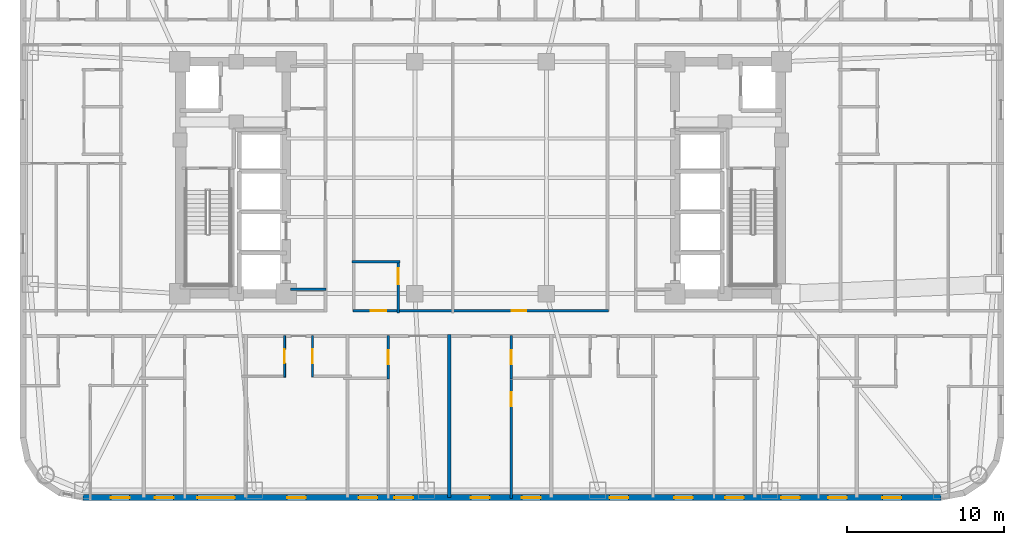
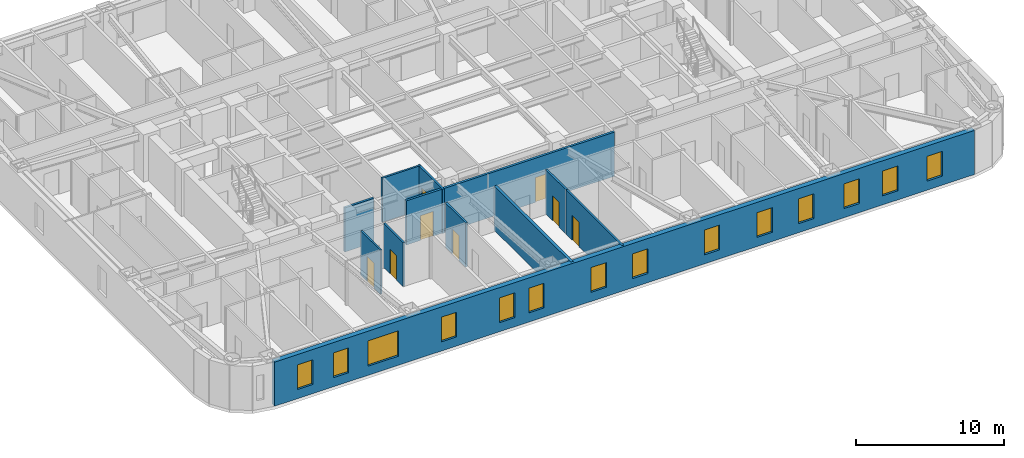
# One storey, part 4 of 12: 14 windows, 11 walls, 8 doors, 22 openings.
"""IFC4 building model written with IfcOpenShell, lengths in metres."""

from ifc_helpers import new_model, si_unit, direction, frame, frame_2d, origin, place, context, subcontext, project, spatial, rectangle, extrude, material, layer, layer_set, type_object, element, fill, save


model = new_model("IFC4")

# Units and contexts
model_context = context("Model", 3, precision=1e-05, world=origin(), true_north=direction((0.0, 1.0)))
body_context = subcontext(model_context, "Body", "Model", "MODEL_VIEW")
ifc_project = project(units=[si_unit("LENGTHUNIT", "METRE"), si_unit("AREAUNIT", "SQUARE_METRE"), si_unit("VOLUMEUNIT", "CUBIC_METRE"), si_unit("PLANEANGLEUNIT", "RADIAN"), si_unit("MASSUNIT", "GRAM", prefix="KILO")], contexts=[model_context])

# Site, building, storey
site_placement = place(None, origin())
site = spatial("IfcSite", under=ifc_project, at=site_placement, CompositionType="ELEMENT")
building_placement = place(site_placement, origin())
building = spatial("IfcBuilding", under=site, at=building_placement, Name="Voryun Gate Residences", CompositionType="ELEMENT")
storey_placement = place(building_placement, frame((0.0, 0.0, 128.699951171875)))
storey = spatial("IfcBuildingStorey", under=building, at=storey_placement, Name="L31", CompositionType="ELEMENT", Elevation=128.699951171875)

# Wall
ifc_material_1 = material(Name="Gypsum acoustic fireboard")
ifc_layer_1 = layer(ifc_material_1, 0.179931640625, Name="W_CORR_RATED_180")
ifc_layer_set_1 = layer_set([ifc_layer_1], Name="Gypsum acoustic fireboard")
wall_type_1 = type_object("IfcWallType", Name="W_CORR_RATED_180", PredefinedType="PARTITIONING", material=ifc_layer_set_1)
wall_1_placement = place(storey_placement, frame((-12.14990234375, -7.1201171875, 0.0), z_axis=(0.0, 0.0, 1.0), x_axis=(1.0, 0.0, 0.0)))
element("IfcWall", 1, at=wall_1_placement, inside=storey, type_object=wall_type_1, Name="Partition wall WP-L31-PLBS-W", PredefinedType="PARTITIONING", context=body_context, shape_type="SweptSolid", body=[
    extrude(rectangle(XDim=2.27001953125, YDim=0.179931640625, at=frame_2d((1.135009765625, 0.0))), origin(), (0.0, 0.0, 1.0), 3.650146484375),
])

# Wall, openings, doors
wall_2_placement = place(storey_placement, frame((-8.14990234375, -8.489990234375, 0.0), z_axis=(0.0, 0.0, 1.0), x_axis=(1.0, 0.0, 0.0)))
wall_2 = element("IfcWall", 2, at=wall_2_placement, inside=storey, type_object=wall_type_1, Name="Partition wall WP-L31-Z1S", PredefinedType="PARTITIONING", context=body_context, shape_type="SweptSolid", body=[
    extrude(rectangle(XDim=16.2998046875, YDim=0.179931640625, at=frame_2d((8.14990234375, 0.0))), origin(), (0.0, 0.0, 1.0), 3.650146484375),
])
opening_1_placement = place(wall_2_placement, frame((1.1298828125, 0.0, 0.0)))
opening_1 = element("IfcOpeningElement", 3, at=opening_1_placement, cuts=wall_2, Name="Opening D-AWC-1", PredefinedType="OPENING", context=body_context, shape_type="SweptSolid", body=[
    extrude(rectangle(XDim=1.0, YDim=2.050048828125, at=frame_2d((0.5, 1.02490234375))), frame((0.0, 0.099853515625, 0.0), z_axis=(0.0, -1.0, 0.0), x_axis=(1.0, 0.0, 0.0)), (0.0, 0.0, 1.0), 0.199951171875),
])
opening_2_placement = place(wall_2_placement, frame((10.1201171875, 0.0, 0.0)))
opening_2 = element("IfcOpeningElement", 4, at=opening_2_placement, cuts=wall_2, Name="Opening D-INT-1", PredefinedType="OPENING", context=body_context, shape_type="SweptSolid", body=[
    extrude(rectangle(XDim=0.949951171875, YDim=2.050048828125, at=frame_2d((0.47509765625, 1.02490234375))), frame((0.0, 0.099853515625, 0.0), z_axis=(0.0, -1.0, 0.0), x_axis=(1.0, 0.0, 0.0)), (0.0, 0.0, 1.0), 0.199951171875),
])
ifc_material_2 = material(Name="Architectural oak veneer")
door_type_1 = type_object("IfcDoorType", Name="DR_ACC_WC_1000", OperationType="NOTDEFINED", PredefinedType="DOOR", material=ifc_material_2)
door_1_placement = place(opening_1_placement, origin())
door_1 = element("IfcDoor", 5, at=door_1_placement, inside=storey, type_object=door_type_1, Name="Door DR-L31-CMWC-D", OperationType="SINGLE_SWING_LEFT", OverallHeight=2.050048828125, OverallWidth=1.0, PredefinedType="DOOR", context=body_context, shape_type="SweptSolid", body=[
    extrude(rectangle(XDim=1.0, YDim=2.050048828125, at=frame_2d((0.5, 1.02490234375))), frame((0.0, 0.02490234375, 0.0), z_axis=(0.0, -1.0, 0.0), x_axis=(1.0, 0.0, 0.0)), (0.0, 0.0, 1.0), 0.050048828125),
])
fill(opening_1, door_1)
ifc_material_3 = material(Name="Architectural oak veneer")
door_type_2 = type_object("IfcDoorType", Name="DR_INT_ROOM_950", OperationType="NOTDEFINED", PredefinedType="DOOR", material=ifc_material_3)
door_2_placement = place(opening_2_placement, origin())
door_2 = element("IfcDoor", 6, at=door_2_placement, inside=storey, type_object=door_type_2, Name="Door DR-L31-CMIDZ1S", OperationType="SINGLE_SWING_RIGHT", OverallHeight=2.050048828125, OverallWidth=0.949951171875, PredefinedType="DOOR", context=body_context, shape_type="SweptSolid", body=[
    extrude(rectangle(XDim=0.949951171875, YDim=2.050048828125, at=frame_2d((0.47509765625, 1.02490234375))), frame((0.0, 0.02490234375, 0.0), z_axis=(0.0, -1.0, 0.0), x_axis=(1.0, 0.0, 0.0)), (0.0, 0.0, 1.0), 0.050048828125),
])
fill(opening_2, door_2)

# Wall, openings, windows
ifc_material_4 = material(Name="Granite masonry", Category="masonry")
ifc_layer_2 = layer(ifc_material_4, 0.3798828125, Name="W_EXT_GRANITE_380")
ifc_layer_set_2 = layer_set([ifc_layer_2], Name="Granite masonry")
wall_type_2 = type_object("IfcWallType", Name="W_EXT_GRANITE_380", PredefinedType="ELEMENTEDWALL", material=ifc_layer_set_2)
wall_3_placement = place(storey_placement, frame((29.38134765625, -20.409912109375, 0.0), z_axis=(0.0, 0.0, 1.0), x_axis=(-1.0, 0.0, 0.0)))
wall_3 = element("IfcWall", 7, at=wall_3_placement, inside=storey, type_object=wall_type_2, Name="Exterior wall WEXT-L31-01", PredefinedType="ELEMENTEDWALL", context=body_context, shape_type="SweptSolid", body=[
    extrude(rectangle(XDim=54.7626953125, YDim=0.3798828125, at=frame_2d((27.38134765625, 0.0))), origin(), (0.0, 0.0, 1.0), 3.650146484375),
])
opening_3_placement = place(wall_3_placement, frame((45.0673828125, 0.0, 0.75)))
opening_3 = element("IfcOpeningElement", 8, at=opening_3_placement, cuts=wall_3, Name="Opening WN2", PredefinedType="OPENING", context=body_context, shape_type="SweptSolid", body=[
    extrude(rectangle(XDim=2.39990234375, YDim=2.10009765625, at=frame_2d((1.199951171875, 1.050048828125))), frame((0.0, 0.199951171875, 0.0), z_axis=(0.0, -1.0, 0.0), x_axis=(1.0, 0.0, 0.0)), (0.0, 0.0, 1.0), 0.39990234375),
])
opening_4_placement = place(wall_3_placement, frame((51.77685546875, 0.0, 0.75)))
opening_4 = element("IfcOpeningElement", 9, at=opening_4_placement, cuts=wall_3, Name="Opening WN6", PredefinedType="OPENING", context=body_context, shape_type="SweptSolid", body=[
    extrude(rectangle(XDim=1.199951171875, YDim=2.050048828125, at=frame_2d((0.60009765625, 1.02490234375))), frame((0.0, 0.199951171875, 0.0), z_axis=(0.0, -1.0, 0.0), x_axis=(1.0, 0.0, 0.0)), (0.0, 0.0, 1.0), 0.39990234375),
])
opening_5_placement = place(wall_3_placement, frame((48.976318359375, 0.0, 0.75)))
opening_5 = element("IfcOpeningElement", 10, at=opening_5_placement, cuts=wall_3, Name="Opening WN6", PredefinedType="OPENING", context=body_context, shape_type="SweptSolid", body=[
    extrude(rectangle(XDim=1.199951171875, YDim=2.050048828125, at=frame_2d((0.60009765625, 1.02490234375))), frame((0.0, 0.199951171875, 0.0), z_axis=(0.0, -1.0, 0.0), x_axis=(1.0, 0.0, 0.0)), (0.0, 0.0, 1.0), 0.39990234375),
])
opening_6_placement = place(wall_3_placement, frame((40.53125, 0.0, 0.75)))
opening_6 = element("IfcOpeningElement", 11, at=opening_6_placement, cuts=wall_3, Name="Opening WN6", PredefinedType="OPENING", context=body_context, shape_type="SweptSolid", body=[
    extrude(rectangle(XDim=1.199951171875, YDim=2.050048828125, at=frame_2d((0.60009765625, 1.02490234375))), frame((0.0, 0.199951171875, 0.0), z_axis=(0.0, -1.0, 0.0), x_axis=(1.0, 0.0, 0.0)), (0.0, 0.0, 1.0), 0.39990234375),
])
opening_7_placement = place(wall_3_placement, frame((33.686279296875, 0.0, 0.75)))
opening_7 = element("IfcOpeningElement", 12, at=opening_7_placement, cuts=wall_3, Name="Opening WN6", PredefinedType="OPENING", context=body_context, shape_type="SweptSolid", body=[
    extrude(rectangle(XDim=1.199951171875, YDim=2.050048828125, at=frame_2d((0.60009765625, 1.02490234375))), frame((0.0, 0.199951171875, 0.0), z_axis=(0.0, -1.0, 0.0), x_axis=(1.0, 0.0, 0.0)), (0.0, 0.0, 1.0), 0.39990234375),
])
opening_8_placement = place(wall_3_placement, frame((35.976318359375, 0.0, 0.75)))
opening_8 = element("IfcOpeningElement", 13, at=opening_8_placement, cuts=wall_3, Name="Opening WN6", PredefinedType="OPENING", context=body_context, shape_type="SweptSolid", body=[
    extrude(rectangle(XDim=1.199951171875, YDim=2.050048828125, at=frame_2d((0.60009765625, 1.02490234375))), frame((0.0, 0.199951171875, 0.0), z_axis=(0.0, -1.0, 0.0), x_axis=(1.0, 0.0, 0.0)), (0.0, 0.0, 1.0), 0.39990234375),
])
opening_9_placement = place(wall_3_placement, frame((28.805419921875, 0.0, 0.75)))
opening_9 = element("IfcOpeningElement", 14, at=opening_9_placement, cuts=wall_3, Name="Opening WN6", PredefinedType="OPENING", context=body_context, shape_type="SweptSolid", body=[
    extrude(rectangle(XDim=1.199951171875, YDim=2.050048828125, at=frame_2d((0.60009765625, 1.02490234375))), frame((0.0, 0.199951171875, 0.0), z_axis=(0.0, -1.0, 0.0), x_axis=(1.0, 0.0, 0.0)), (0.0, 0.0, 1.0), 0.39990234375),
])
opening_10_placement = place(wall_3_placement, frame((25.555419921875, 0.0, 0.75)))
opening_10 = element("IfcOpeningElement", 15, at=opening_10_placement, cuts=wall_3, Name="Opening WN6", PredefinedType="OPENING", context=body_context, shape_type="SweptSolid", body=[
    extrude(rectangle(XDim=1.199951171875, YDim=2.050048828125, at=frame_2d((0.60009765625, 1.02490234375))), frame((0.0, 0.199951171875, 0.0), z_axis=(0.0, -1.0, 0.0), x_axis=(1.0, 0.0, 0.0)), (0.0, 0.0, 1.0), 0.39990234375),
])
opening_11_placement = place(wall_3_placement, frame((19.951416015625, 0.0, 0.75)))
opening_11 = element("IfcOpeningElement", 16, at=opening_11_placement, cuts=wall_3, Name="Opening WN6", PredefinedType="OPENING", context=body_context, shape_type="SweptSolid", body=[
    extrude(rectangle(XDim=1.199951171875, YDim=2.050048828125, at=frame_2d((0.60009765625, 1.02490234375))), frame((0.0, 0.199951171875, 0.0), z_axis=(0.0, -1.0, 0.0), x_axis=(1.0, 0.0, 0.0)), (0.0, 0.0, 1.0), 0.39990234375),
])
opening_12_placement = place(wall_3_placement, frame((15.836181640625, 0.0, 0.75)))
opening_12 = element("IfcOpeningElement", 17, at=opening_12_placement, cuts=wall_3, Name="Opening WN6", PredefinedType="OPENING", context=body_context, shape_type="SweptSolid", body=[
    extrude(rectangle(XDim=1.199951171875, YDim=2.050048828125, at=frame_2d((0.60009765625, 1.02490234375))), frame((0.0, 0.199951171875, 0.0), z_axis=(0.0, -1.0, 0.0), x_axis=(1.0, 0.0, 0.0)), (0.0, 0.0, 1.0), 0.39990234375),
])
opening_13_placement = place(wall_3_placement, frame((12.586181640625, 0.0, 0.75)))
opening_13 = element("IfcOpeningElement", 18, at=opening_13_placement, cuts=wall_3, Name="Opening WN6", PredefinedType="OPENING", context=body_context, shape_type="SweptSolid", body=[
    extrude(rectangle(XDim=1.199951171875, YDim=2.050048828125, at=frame_2d((0.60009765625, 1.02490234375))), frame((0.0, 0.199951171875, 0.0), z_axis=(0.0, -1.0, 0.0), x_axis=(1.0, 0.0, 0.0)), (0.0, 0.0, 1.0), 0.39990234375),
])
opening_14_placement = place(wall_3_placement, frame((9.01123046875, 0.0, 0.75)))
opening_14 = element("IfcOpeningElement", 19, at=opening_14_placement, cuts=wall_3, Name="Opening WN6", PredefinedType="OPENING", context=body_context, shape_type="SweptSolid", body=[
    extrude(rectangle(XDim=1.199951171875, YDim=2.050048828125, at=frame_2d((0.60009765625, 1.02490234375))), frame((0.0, 0.199951171875, 0.0), z_axis=(0.0, -1.0, 0.0), x_axis=(1.0, 0.0, 0.0)), (0.0, 0.0, 1.0), 0.39990234375),
])
opening_15_placement = place(wall_3_placement, frame((6.001220703125, 0.0, 0.75)))
opening_15 = element("IfcOpeningElement", 20, at=opening_15_placement, cuts=wall_3, Name="Opening WN6", PredefinedType="OPENING", context=body_context, shape_type="SweptSolid", body=[
    extrude(rectangle(XDim=1.199951171875, YDim=2.050048828125, at=frame_2d((0.60009765625, 1.02490234375))), frame((0.0, 0.199951171875, 0.0), z_axis=(0.0, -1.0, 0.0), x_axis=(1.0, 0.0, 0.0)), (0.0, 0.0, 1.0), 0.39990234375),
])
opening_16_placement = place(wall_3_placement, frame((2.53564453125, 0.0, 0.75)))
opening_16 = element("IfcOpeningElement", 21, at=opening_16_placement, cuts=wall_3, Name="Opening WN6", PredefinedType="OPENING", context=body_context, shape_type="SweptSolid", body=[
    extrude(rectangle(XDim=1.199951171875, YDim=2.050048828125, at=frame_2d((0.60009765625, 1.02490234375))), frame((0.0, 0.199951171875, 0.0), z_axis=(0.0, -1.0, 0.0), x_axis=(1.0, 0.0, 0.0)), (0.0, 0.0, 1.0), 0.39990234375),
])
ifc_material_5 = material(Name="Laminated low-E glass", Category="glass")
window_type_1 = type_object("IfcWindowType", Name="WN_POD_SLOT_1200", PartitioningType="SINGLE_PANEL", PredefinedType="WINDOW", material=ifc_material_5)
window_1_placement = place(opening_4_placement, origin())
window_1 = element("IfcWindow", 22, at=window_1_placement, inside=storey, type_object=window_type_1, Name="Window WN-L31-DWFIX-15", OverallHeight=2.050048828125, OverallWidth=1.199951171875, PartitioningType="SINGLE_PANEL", PredefinedType="WINDOW", context=body_context, shape_type="SweptSolid", body=[
    extrude(rectangle(XDim=1.199951171875, YDim=2.050048828125, at=frame_2d((0.60009765625, 1.02490234375))), frame((0.0, 0.030029296875, 0.0), z_axis=(0.0, -1.0, 0.0), x_axis=(1.0, 0.0, 0.0)), (0.0, 0.0, 1.0), 0.06005859375),
])
fill(opening_4, window_1)
window_2_placement = place(opening_5_placement, origin())
window_2 = element("IfcWindow", 23, at=window_2_placement, inside=storey, type_object=window_type_1, Name="Window WN-L31-DWFIX-16", OverallHeight=2.050048828125, OverallWidth=1.199951171875, PartitioningType="SINGLE_PANEL", PredefinedType="WINDOW", context=body_context, shape_type="SweptSolid", body=[
    extrude(rectangle(XDim=1.199951171875, YDim=2.050048828125, at=frame_2d((0.60009765625, 1.02490234375))), frame((0.0, 0.030029296875, 0.0), z_axis=(0.0, -1.0, 0.0), x_axis=(1.0, 0.0, 0.0)), (0.0, 0.0, 1.0), 0.06005859375),
])
fill(opening_5, window_2)
window_3_placement = place(opening_6_placement, origin())
window_3 = element("IfcWindow", 24, at=window_3_placement, inside=storey, type_object=window_type_1, Name="Window WN-L31-DWFIX-17", OverallHeight=2.050048828125, OverallWidth=1.199951171875, PartitioningType="SINGLE_PANEL", PredefinedType="WINDOW", context=body_context, shape_type="SweptSolid", body=[
    extrude(rectangle(XDim=1.199951171875, YDim=2.050048828125, at=frame_2d((0.60009765625, 1.02490234375))), frame((0.0, 0.030029296875, 0.0), z_axis=(0.0, -1.0, 0.0), x_axis=(1.0, 0.0, 0.0)), (0.0, 0.0, 1.0), 0.06005859375),
])
fill(opening_6, window_3)
window_4_placement = place(opening_7_placement, origin())
window_4 = element("IfcWindow", 25, at=window_4_placement, inside=storey, type_object=window_type_1, Name="Window WN-L31-DWFIX-18", OverallHeight=2.050048828125, OverallWidth=1.199951171875, PartitioningType="SINGLE_PANEL", PredefinedType="WINDOW", context=body_context, shape_type="SweptSolid", body=[
    extrude(rectangle(XDim=1.199951171875, YDim=2.050048828125, at=frame_2d((0.60009765625, 1.02490234375))), frame((0.0, 0.030029296875, 0.0), z_axis=(0.0, -1.0, 0.0), x_axis=(1.0, 0.0, 0.0)), (0.0, 0.0, 1.0), 0.06005859375),
])
fill(opening_7, window_4)
window_5_placement = place(opening_8_placement, origin())
window_5 = element("IfcWindow", 26, at=window_5_placement, inside=storey, type_object=window_type_1, Name="Window WN-L31-DWFIX-19", OverallHeight=2.050048828125, OverallWidth=1.199951171875, PartitioningType="SINGLE_PANEL", PredefinedType="WINDOW", context=body_context, shape_type="SweptSolid", body=[
    extrude(rectangle(XDim=1.199951171875, YDim=2.050048828125, at=frame_2d((0.60009765625, 1.02490234375))), frame((0.0, 0.030029296875, 0.0), z_axis=(0.0, -1.0, 0.0), x_axis=(1.0, 0.0, 0.0)), (0.0, 0.0, 1.0), 0.06005859375),
])
fill(opening_8, window_5)
window_6_placement = place(opening_9_placement, origin())
window_6 = element("IfcWindow", 27, at=window_6_placement, inside=storey, type_object=window_type_1, Name="Window WN-L31-DWFIX-20", OverallHeight=2.050048828125, OverallWidth=1.199951171875, PartitioningType="SINGLE_PANEL", PredefinedType="WINDOW", context=body_context, shape_type="SweptSolid", body=[
    extrude(rectangle(XDim=1.199951171875, YDim=2.050048828125, at=frame_2d((0.60009765625, 1.02490234375))), frame((0.0, 0.030029296875, 0.0), z_axis=(0.0, -1.0, 0.0), x_axis=(1.0, 0.0, 0.0)), (0.0, 0.0, 1.0), 0.06005859375),
])
fill(opening_9, window_6)
window_7_placement = place(opening_10_placement, origin())
window_7 = element("IfcWindow", 28, at=window_7_placement, inside=storey, type_object=window_type_1, Name="Window WN-L31-DWFIX-21", OverallHeight=2.050048828125, OverallWidth=1.199951171875, PartitioningType="SINGLE_PANEL", PredefinedType="WINDOW", context=body_context, shape_type="SweptSolid", body=[
    extrude(rectangle(XDim=1.199951171875, YDim=2.050048828125, at=frame_2d((0.60009765625, 1.02490234375))), frame((0.0, 0.030029296875, 0.0), z_axis=(0.0, -1.0, 0.0), x_axis=(1.0, 0.0, 0.0)), (0.0, 0.0, 1.0), 0.06005859375),
])
fill(opening_10, window_7)
window_8_placement = place(opening_11_placement, origin())
window_8 = element("IfcWindow", 29, at=window_8_placement, inside=storey, type_object=window_type_1, Name="Window WN-L31-DWFIX-22", OverallHeight=2.050048828125, OverallWidth=1.199951171875, PartitioningType="SINGLE_PANEL", PredefinedType="WINDOW", context=body_context, shape_type="SweptSolid", body=[
    extrude(rectangle(XDim=1.199951171875, YDim=2.050048828125, at=frame_2d((0.60009765625, 1.02490234375))), frame((0.0, 0.030029296875, 0.0), z_axis=(0.0, -1.0, 0.0), x_axis=(1.0, 0.0, 0.0)), (0.0, 0.0, 1.0), 0.06005859375),
])
fill(opening_11, window_8)
window_9_placement = place(opening_12_placement, origin())
window_9 = element("IfcWindow", 30, at=window_9_placement, inside=storey, type_object=window_type_1, Name="Window WN-L31-DWFIX-23", OverallHeight=2.050048828125, OverallWidth=1.199951171875, PartitioningType="SINGLE_PANEL", PredefinedType="WINDOW", context=body_context, shape_type="SweptSolid", body=[
    extrude(rectangle(XDim=1.199951171875, YDim=2.050048828125, at=frame_2d((0.60009765625, 1.02490234375))), frame((0.0, 0.030029296875, 0.0), z_axis=(0.0, -1.0, 0.0), x_axis=(1.0, 0.0, 0.0)), (0.0, 0.0, 1.0), 0.06005859375),
])
fill(opening_12, window_9)
window_10_placement = place(opening_13_placement, origin())
window_10 = element("IfcWindow", 31, at=window_10_placement, inside=storey, type_object=window_type_1, Name="Window WN-L31-DWFIX-24", OverallHeight=2.050048828125, OverallWidth=1.199951171875, PartitioningType="SINGLE_PANEL", PredefinedType="WINDOW", context=body_context, shape_type="SweptSolid", body=[
    extrude(rectangle(XDim=1.199951171875, YDim=2.050048828125, at=frame_2d((0.60009765625, 1.02490234375))), frame((0.0, 0.030029296875, 0.0), z_axis=(0.0, -1.0, 0.0), x_axis=(1.0, 0.0, 0.0)), (0.0, 0.0, 1.0), 0.06005859375),
])
fill(opening_13, window_10)
window_11_placement = place(opening_14_placement, origin())
window_11 = element("IfcWindow", 32, at=window_11_placement, inside=storey, type_object=window_type_1, Name="Window WN-L31-DWFIX-25", OverallHeight=2.050048828125, OverallWidth=1.199951171875, PartitioningType="SINGLE_PANEL", PredefinedType="WINDOW", context=body_context, shape_type="SweptSolid", body=[
    extrude(rectangle(XDim=1.199951171875, YDim=2.050048828125, at=frame_2d((0.60009765625, 1.02490234375))), frame((0.0, 0.030029296875, 0.0), z_axis=(0.0, -1.0, 0.0), x_axis=(1.0, 0.0, 0.0)), (0.0, 0.0, 1.0), 0.06005859375),
])
fill(opening_14, window_11)
window_12_placement = place(opening_15_placement, origin())
window_12 = element("IfcWindow", 33, at=window_12_placement, inside=storey, type_object=window_type_1, Name="Window WN-L31-DWFIX-26", OverallHeight=2.050048828125, OverallWidth=1.199951171875, PartitioningType="SINGLE_PANEL", PredefinedType="WINDOW", context=body_context, shape_type="SweptSolid", body=[
    extrude(rectangle(XDim=1.199951171875, YDim=2.050048828125, at=frame_2d((0.60009765625, 1.02490234375))), frame((0.0, 0.030029296875, 0.0), z_axis=(0.0, -1.0, 0.0), x_axis=(1.0, 0.0, 0.0)), (0.0, 0.0, 1.0), 0.06005859375),
])
fill(opening_15, window_12)
window_13_placement = place(opening_16_placement, origin())
window_13 = element("IfcWindow", 34, at=window_13_placement, inside=storey, type_object=window_type_1, Name="Window WN-L31-DWFIX-27", OverallHeight=2.050048828125, OverallWidth=1.199951171875, PartitioningType="SINGLE_PANEL", PredefinedType="WINDOW", context=body_context, shape_type="SweptSolid", body=[
    extrude(rectangle(XDim=1.199951171875, YDim=2.050048828125, at=frame_2d((0.60009765625, 1.02490234375))), frame((0.0, 0.030029296875, 0.0), z_axis=(0.0, -1.0, 0.0), x_axis=(1.0, 0.0, 0.0)), (0.0, 0.0, 1.0), 0.06005859375),
])
fill(opening_16, window_13)
ifc_material_6 = material(Name="Laminated low-E glass", Category="glass")
window_type_2 = type_object("IfcWindowType", Name="WN_RES_WIDE_2400", PartitioningType="SINGLE_PANEL", PredefinedType="WINDOW", material=ifc_material_6)
window_14_placement = place(opening_3_placement, origin())
window_14 = element("IfcWindow", 35, at=window_14_placement, inside=storey, type_object=window_type_2, Name="Window WN-WEXT-L31-01-04", OverallHeight=2.10009765625, OverallWidth=2.39990234375, PartitioningType="SINGLE_PANEL", PredefinedType="WINDOW", context=body_context, shape_type="SweptSolid", body=[
    extrude(rectangle(XDim=2.39990234375, YDim=2.10009765625, at=frame_2d((1.199951171875, 1.050048828125))), frame((0.0, 0.030029296875, 0.0), z_axis=(0.0, -1.0, 0.0), x_axis=(1.0, 0.0, 0.0)), (0.0, 0.0, 1.0), 0.06005859375),
])
fill(opening_3, window_14)

# Wall
ifc_material_7 = material(Name="Concrete C40/50", Category="concrete")
ifc_layer_3 = layer(ifc_material_7, 0.219970703125, Name="W_PARTY_ACOUSTIC_220")
ifc_layer_set_3 = layer_set([ifc_layer_3], Name="Concrete C40/50")
wall_type_3 = type_object("IfcWallType", Name="W_PARTY_ACOUSTIC_220", PredefinedType="PARTITIONING", material=ifc_layer_set_3)
wall_4_placement = place(storey_placement, frame((-2.0, -20.409912109375, 0.0), z_axis=(0.0, 0.0, 1.0), x_axis=(0.0, 1.0, 0.0)))
element("IfcWall", 36, at=wall_4_placement, inside=storey, type_object=wall_type_3, Name="Partition wall WP-L31-SPTY-4", PredefinedType="PARTITIONING", context=body_context, shape_type="SweptSolid", body=[
    extrude(rectangle(XDim=10.389892578125, YDim=0.219970703125, at=frame_2d((5.19482421875, 0.0))), origin(), (0.0, 0.0, 1.0), 3.650146484375),
])

# Wall, opening, door
ifc_material_8 = material(Name="Gypsum acoustic partition")
ifc_layer_4 = layer(ifc_material_8, 0.125, Name="W_UNIT_PART_125")
ifc_layer_set_4 = layer_set([ifc_layer_4], Name="Gypsum acoustic partition")
wall_type_4 = type_object("IfcWallType", Name="W_UNIT_PART_125", PredefinedType="PARTITIONING", material=ifc_layer_set_4)
wall_5_placement = place(storey_placement, frame((-12.51611328125, -12.72998046875, 0.0), z_axis=(0.0, 0.0, 1.0), x_axis=(0.0, 1.0, 0.0)))
wall_5 = element("IfcWall", 37, at=wall_5_placement, inside=storey, type_object=wall_type_4, Name="Partition wall WP-L31-S3-CVK", PredefinedType="PARTITIONING", context=body_context, shape_type="SweptSolid", body=[
    extrude(rectangle(XDim=2.64990234375, YDim=0.125, at=frame_2d((1.324951171875, 0.0))), origin(), (0.0, 0.0, 1.0), 3.650146484375),
])
opening_17_placement = place(wall_5_placement, frame((0.875, 0.0, 0.0)))
opening_17 = element("IfcOpeningElement", 38, at=opening_17_placement, cuts=wall_5, Name="Opening D-INT-2", PredefinedType="OPENING", context=body_context, shape_type="SweptSolid", body=[
    extrude(rectangle(XDim=0.89990234375, YDim=2.050048828125, at=frame_2d((0.449951171875, 1.02490234375))), frame((0.0, 0.072509765625, 0.0), z_axis=(0.0, -1.0, 0.0), x_axis=(1.0, 0.0, 0.0)), (0.0, 0.0, 1.0), 0.14501953125),
])
ifc_material_9 = material(Name="Architectural oak veneer")
door_type_3 = type_object("IfcDoorType", Name="DR_INT_BATH_900", OperationType="NOTDEFINED", PredefinedType="DOOR", material=ifc_material_9)
door_3_placement = place(opening_17_placement, origin())
door_3 = element("IfcDoor", 39, at=door_3_placement, inside=storey, type_object=door_type_3, Name="Door DR-L31-S3-DK", OperationType="SINGLE_SWING_LEFT", OverallHeight=2.050048828125, OverallWidth=0.89990234375, PredefinedType="DOOR", context=body_context, shape_type="SweptSolid", body=[
    extrude(rectangle(XDim=0.89990234375, YDim=2.050048828125, at=frame_2d((0.449951171875, 1.02490234375))), frame((0.0, 0.02490234375, 0.0), z_axis=(0.0, -1.0, 0.0), x_axis=(1.0, 0.0, 0.0)), (0.0, 0.0, 1.0), 0.050048828125),
])
fill(opening_17, door_3)

ifc_material_10 = material(Name="Gypsum moisture-resistant partition")
ifc_layer_5 = layer(ifc_material_10, 0.14990234375, Name="W_WET_PLUMB_150")
ifc_layer_set_5 = layer_set([ifc_layer_5], Name="Gypsum moisture-resistant partition")
wall_type_5 = type_object("IfcWallType", Name="W_WET_PLUMB_150", PredefinedType="PLUMBINGWALL", material=ifc_layer_set_5)
wall_6_placement = place(storey_placement, frame((-5.260009765625, -8.6201171875, 0.0), z_axis=(0.0, 0.0, 1.0), x_axis=(0.0, 1.0, 0.0)))
wall_6 = element("IfcWall", 40, at=wall_6_placement, inside=storey, type_object=wall_type_5, Name="Partition wall WP-L31-CMWCX", PredefinedType="PLUMBINGWALL", context=body_context, shape_type="SweptSolid", body=[
    extrude(rectangle(XDim=3.35009765625, YDim=0.14990234375, at=frame_2d((1.675048828125, 0.0))), origin(), (0.0, 0.0, 1.0), 3.650146484375),
])
opening_18_placement = place(wall_6_placement, frame((1.8349609375, 0.0, 0.0)))
opening_18 = element("IfcOpeningElement", 41, at=opening_18_placement, cuts=wall_6, Name="Opening D-AWC-1", PredefinedType="OPENING", context=body_context, shape_type="SweptSolid", body=[
    extrude(rectangle(XDim=1.0, YDim=2.050048828125, at=frame_2d((0.5, 1.02490234375))), frame((0.0, 0.0849609375, 0.0), z_axis=(0.0, -1.0, 0.0), x_axis=(1.0, 0.0, 0.0)), (0.0, 0.0, 1.0), 0.169921875),
])
door_4_placement = place(opening_18_placement, origin())
door_4 = element("IfcDoor", 42, at=door_4_placement, inside=storey, type_object=door_type_1, Name="Door DR-L31-CMWC", OperationType="SINGLE_SWING_LEFT", OverallHeight=2.050048828125, OverallWidth=1.0, PredefinedType="DOOR", context=body_context, shape_type="SweptSolid", body=[
    extrude(rectangle(XDim=1.0, YDim=2.050048828125, at=frame_2d((0.5, 1.02490234375))), frame((0.0, 0.02490234375, 0.0), z_axis=(0.0, -1.0, 0.0), x_axis=(1.0, 0.0, 0.0)), (0.0, 0.0, 1.0), 0.050048828125),
])
fill(opening_18, door_4)

# Wall
wall_7_placement = place(storey_placement, frame((-8.2099609375, -5.3701171875, 0.0), z_axis=(0.0, 0.0, 1.0), x_axis=(1.0, 0.0, 0.0)))
element("IfcWall", 43, at=wall_7_placement, inside=storey, type_object=wall_type_5, Name="Partition wall WP-L31-CMWCY", PredefinedType="PLUMBINGWALL", context=body_context, shape_type="SweptSolid", body=[
    extrude(rectangle(XDim=3.050048828125, YDim=0.14990234375, at=frame_2d((1.52490234375, 0.0))), origin(), (0.0, 0.0, 1.0), 3.650146484375),
])

# Wall, opening, door
wall_8_placement = place(storey_placement, frame((-10.72900390625, -12.72998046875, 0.0), z_axis=(0.0, 0.0, 1.0), x_axis=(0.0, 1.0, 0.0)))
wall_8 = element("IfcWall", 44, at=wall_8_placement, inside=storey, type_object=wall_type_5, Name="Partition wall WP-L31-S3-CVB", PredefinedType="PLUMBINGWALL", context=body_context, shape_type="SweptSolid", body=[
    extrude(rectangle(XDim=2.64990234375, YDim=0.14990234375, at=frame_2d((1.324951171875, 0.0))), origin(), (0.0, 0.0, 1.0), 3.650146484375),
])
opening_19_placement = place(wall_8_placement, frame((0.875, 0.0, 0.0)))
opening_19 = element("IfcOpeningElement", 45, at=opening_19_placement, cuts=wall_8, Name="Opening D-INT-2", PredefinedType="OPENING", context=body_context, shape_type="SweptSolid", body=[
    extrude(rectangle(XDim=0.89990234375, YDim=2.050048828125, at=frame_2d((0.449951171875, 1.02490234375))), frame((0.0, 0.0849609375, 0.0), z_axis=(0.0, -1.0, 0.0), x_axis=(1.0, 0.0, 0.0)), (0.0, 0.0, 1.0), 0.169921875),
])
door_5_placement = place(opening_19_placement, origin())
door_5 = element("IfcDoor", 46, at=door_5_placement, inside=storey, type_object=door_type_3, Name="Door DR-L31-S3-DB", OperationType="SINGLE_SWING_RIGHT", OverallHeight=2.050048828125, OverallWidth=0.89990234375, PredefinedType="DOOR", context=body_context, shape_type="SweptSolid", body=[
    extrude(rectangle(XDim=0.89990234375, YDim=2.050048828125, at=frame_2d((0.449951171875, 1.02490234375))), frame((0.0, 0.02490234375, 0.0), z_axis=(0.0, -1.0, 0.0), x_axis=(1.0, 0.0, 0.0)), (0.0, 0.0, 1.0), 0.050048828125),
])
fill(opening_19, door_5)

wall_9_placement = place(storey_placement, frame((-5.889892578125, -12.840087890625, 0.0), z_axis=(0.0, 0.0, 1.0), x_axis=(0.0, 1.0, 0.0)))
wall_9 = element("IfcWall", 47, at=wall_9_placement, inside=storey, type_object=wall_type_5, Name="Partition wall WP-L31-S4-SVT2", PredefinedType="PLUMBINGWALL", context=body_context, shape_type="SweptSolid", body=[
    extrude(rectangle(XDim=2.760009765625, YDim=0.14990234375, at=frame_2d((1.3798828125, 0.0))), origin(), (0.0, 0.0, 1.0), 3.650146484375),
])
opening_20_placement = place(wall_9_placement, frame((0.929931640625, 0.0, 0.0)))
opening_20 = element("IfcOpeningElement", 48, at=opening_20_placement, cuts=wall_9, Name="Opening D-INT-2", PredefinedType="OPENING", context=body_context, shape_type="SweptSolid", body=[
    extrude(rectangle(XDim=0.89990234375, YDim=2.050048828125, at=frame_2d((0.449951171875, 1.02490234375))), frame((0.0, 0.0849609375, 0.0), z_axis=(0.0, -1.0, 0.0), x_axis=(1.0, 0.0, 0.0)), (0.0, 0.0, 1.0), 0.169921875),
])
door_6_placement = place(opening_20_placement, origin())
door_6 = element("IfcDoor", 49, at=door_6_placement, inside=storey, type_object=door_type_3, Name="Door DR-L31-S4-DB", OperationType="SINGLE_SWING_RIGHT", OverallHeight=2.050048828125, OverallWidth=0.89990234375, PredefinedType="DOOR", context=body_context, shape_type="SweptSolid", body=[
    extrude(rectangle(XDim=0.89990234375, YDim=2.050048828125, at=frame_2d((0.449951171875, 1.02490234375))), frame((0.0, 0.02490234375, 0.0), z_axis=(0.0, -1.0, 0.0), x_axis=(1.0, 0.0, 0.0)), (0.0, 0.0, 1.0), 0.050048828125),
])
fill(opening_20, door_6)

wall_10_placement = place(storey_placement, frame((1.951904296875, -20.45751953125, 0.0), z_axis=(0.0, 0.0, 1.0), x_axis=(0.0, 1.0, 0.0)))
wall_10 = element("IfcWall", 50, at=wall_10_placement, inside=storey, type_object=wall_type_5, Name="Partition wall WP-L31-S5-SVT1", PredefinedType="PLUMBINGWALL", context=body_context, shape_type="SweptSolid", body=[
    extrude(rectangle(XDim=7.697509765625, YDim=0.14990234375, at=frame_2d((3.8486328125, 0.0))), origin(), (0.0, 0.0, 1.0), 3.650146484375),
])
opening_21_placement = place(wall_10_placement, frame((5.862060546875, 0.0, 0.0)))
opening_21 = element("IfcOpeningElement", 51, at=opening_21_placement, cuts=wall_10, Name="Opening D-INT-2", PredefinedType="OPENING", context=body_context, shape_type="SweptSolid", body=[
    extrude(rectangle(XDim=0.89990234375, YDim=2.050048828125, at=frame_2d((0.449951171875, 1.02490234375))), frame((0.0, 0.0849609375, 0.0), z_axis=(0.0, -1.0, 0.0), x_axis=(1.0, 0.0, 0.0)), (0.0, 0.0, 1.0), 0.169921875),
])
door_7_placement = place(opening_21_placement, origin())
door_7 = element("IfcDoor", 52, at=door_7_placement, inside=storey, type_object=door_type_3, Name="Door DR-L31-S5-DK", OperationType="SINGLE_SWING_LEFT", OverallHeight=2.050048828125, OverallWidth=0.89990234375, PredefinedType="DOOR", context=body_context, shape_type="SweptSolid", body=[
    extrude(rectangle(XDim=0.89990234375, YDim=2.050048828125, at=frame_2d((0.449951171875, 1.02490234375))), frame((0.0, 0.02490234375, 0.0), z_axis=(0.0, -1.0, 0.0), x_axis=(1.0, 0.0, 0.0)), (0.0, 0.0, 1.0), 0.050048828125),
])
fill(opening_21, door_7)

wall_11_placement = place(storey_placement, frame((1.951904296875, -12.840087890625, 0.0), z_axis=(0.0, 0.0, 1.0), x_axis=(0.0, 1.0, 0.0)))
wall_11 = element("IfcWall", 53, at=wall_11_placement, inside=storey, type_object=wall_type_5, Name="Partition wall WP-L31-S5-SVT2", PredefinedType="PLUMBINGWALL", context=body_context, shape_type="SweptSolid", body=[
    extrude(rectangle(XDim=2.760009765625, YDim=0.14990234375, at=frame_2d((1.3798828125, 0.0))), origin(), (0.0, 0.0, 1.0), 3.650146484375),
])
opening_22_placement = place(wall_11_placement, frame((0.929931640625, 0.0, 0.0)))
opening_22 = element("IfcOpeningElement", 54, at=opening_22_placement, cuts=wall_11, Name="Opening D-INT-2", PredefinedType="OPENING", context=body_context, shape_type="SweptSolid", body=[
    extrude(rectangle(XDim=0.89990234375, YDim=2.050048828125, at=frame_2d((0.449951171875, 1.02490234375))), frame((0.0, 0.0849609375, 0.0), z_axis=(0.0, -1.0, 0.0), x_axis=(1.0, 0.0, 0.0)), (0.0, 0.0, 1.0), 0.169921875),
])
door_8_placement = place(opening_22_placement, origin())
door_8 = element("IfcDoor", 55, at=door_8_placement, inside=storey, type_object=door_type_3, Name="Door DR-L31-S5-DB", OperationType="SINGLE_SWING_RIGHT", OverallHeight=2.050048828125, OverallWidth=0.89990234375, PredefinedType="DOOR", context=body_context, shape_type="SweptSolid", body=[
    extrude(rectangle(XDim=0.89990234375, YDim=2.050048828125, at=frame_2d((0.449951171875, 1.02490234375))), frame((0.0, 0.02490234375, 0.0), z_axis=(0.0, -1.0, 0.0), x_axis=(1.0, 0.0, 0.0)), (0.0, 0.0, 1.0), 0.050048828125),
])
fill(opening_22, door_8)

save(model, "model.ifc")
